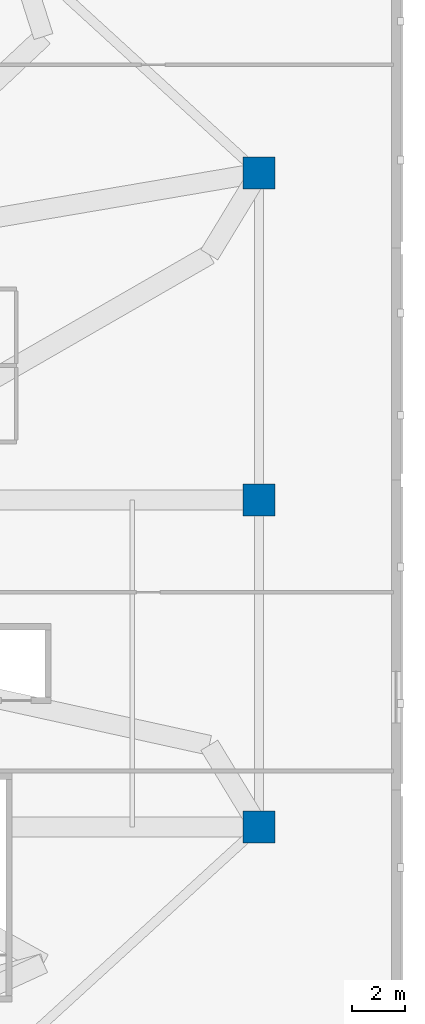
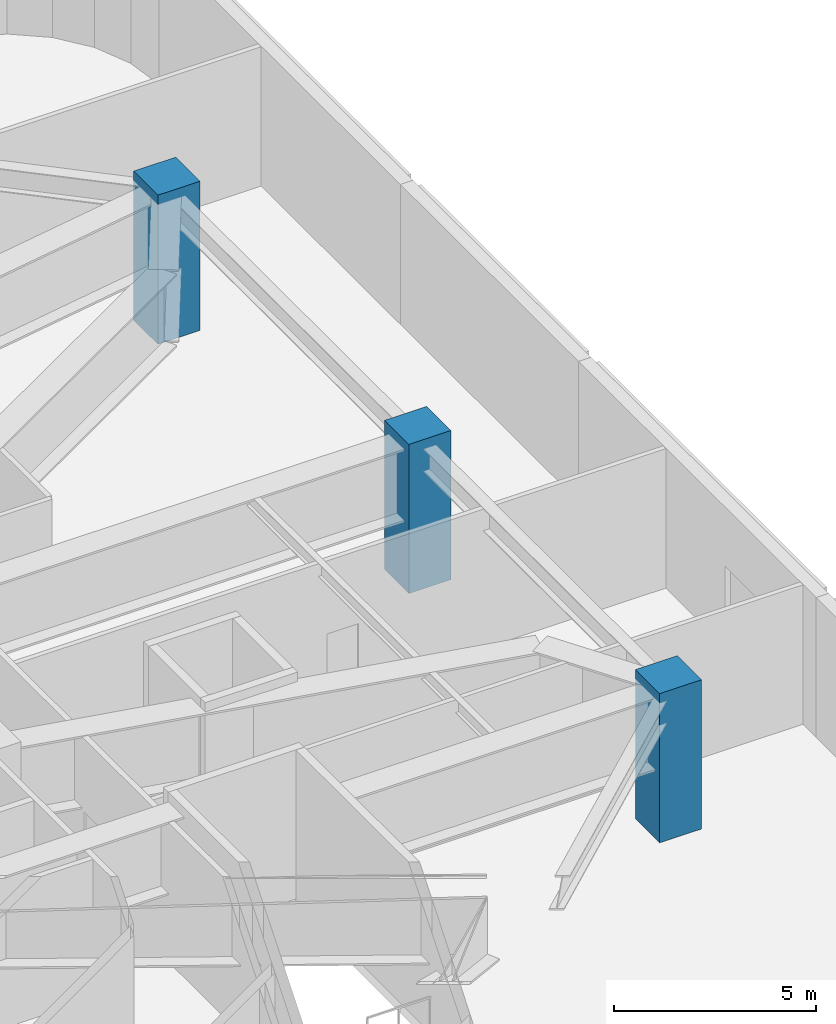
# One storey, part 2 of 26: 3 columns.
"""IFC4 building model written with IfcOpenShell, lengths in metres."""

from ifc_helpers import new_model, si_unit, direction, frame, origin, origin_2d, place, context, subcontext, project, spatial, rectangle, extrude, material, material_profile, profile_set, type_object, element, save


model = new_model("IFC4")

# Units and contexts
model_context = context("Model", 3, precision=1e-05, world=origin(), true_north=direction((0.0, 1.0)))
body_context = subcontext(model_context, "Body", "Model", "MODEL_VIEW")
ifc_project = project(units=[si_unit("LENGTHUNIT", "METRE"), si_unit("AREAUNIT", "SQUARE_METRE"), si_unit("VOLUMEUNIT", "CUBIC_METRE"), si_unit("PLANEANGLEUNIT", "RADIAN"), si_unit("MASSUNIT", "GRAM", prefix="KILO")], contexts=[model_context])

# Site, building, storey
site_placement = place(None, origin())
site = spatial("IfcSite", under=ifc_project, at=site_placement, CompositionType="ELEMENT")
building_placement = place(site_placement, origin())
building = spatial("IfcBuilding", under=site, at=building_placement, Name="Haldorwick Loom Tower", CompositionType="ELEMENT")
storey_placement = place(building_placement, frame((0.0, 0.0, 19.5)))
storey = spatial("IfcBuildingStorey", under=building, at=storey_placement, Name="L04", CompositionType="ELEMENT", Elevation=19.5)

# Columns
ifc_material = material(Name="Concrete C60 (60 MPa)", Category="concrete")
ifc_material_profile = material_profile(ifc_material, rectangle(XDim=1.199951171875, YDim=1.199951171875, at=origin_2d()), Name="RC1200X1200", Category="concrete")
ifc_profile_set = profile_set([ifc_material_profile], Name="Concrete C60 (60 MPa)")
column_type = type_object("IfcColumnType", Name="STR-COL-RC1200", PredefinedType="COLUMN", material=ifc_profile_set)
for number, where, z_axis, x_axis, name in (
    (1, (66.800048828125, 13.60009765625, 0.0), (0.0, 0.0, 1.0), (1.0, 0.0, 0.0), "L04 Podium Column PC-E1"),
    (2, (66.800048828125, 26.0, 0.0), (0.0, 0.0, 1.0), (1.0, 0.0, 0.0), "L04 Podium Column PC-E2"),
    (3, (66.800048828125, 38.39990234375, 0.0), (0.0, 0.0, 1.0), (1.0, 0.0, 0.0), "L04 Podium Column PC-E3"),
):
    element("IfcColumn", number, at=place(storey_placement, frame(where, z_axis=z_axis, x_axis=x_axis)), inside=storey, type_object=column_type, Name=name, PredefinedType="COLUMN", context=body_context, shape_type="SweptSolid", body=[
        extrude(rectangle(XDim=1.199951171875, YDim=1.199951171875, at=origin_2d()), origin(), (0.0, 0.0, 1.0), 4.5),
    ])

save(model, "model.ifc")
